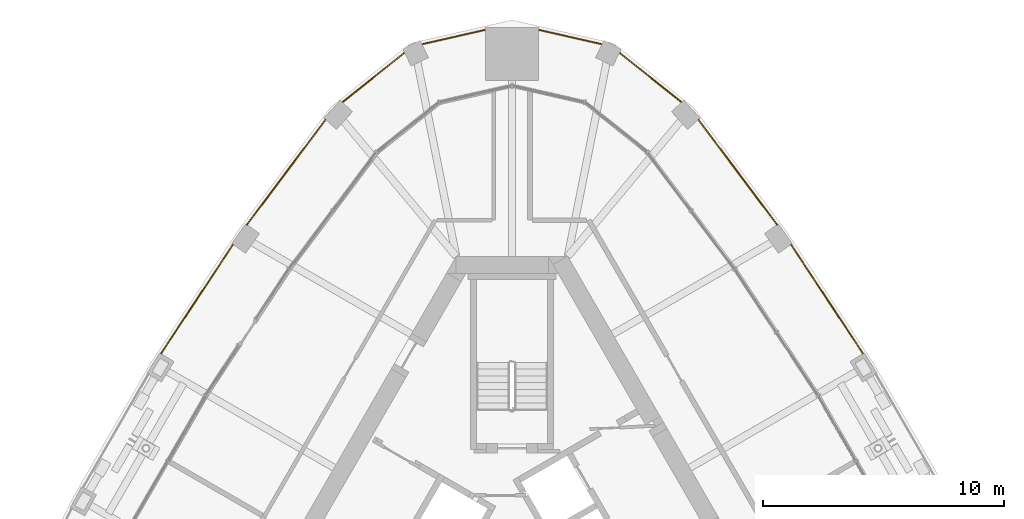
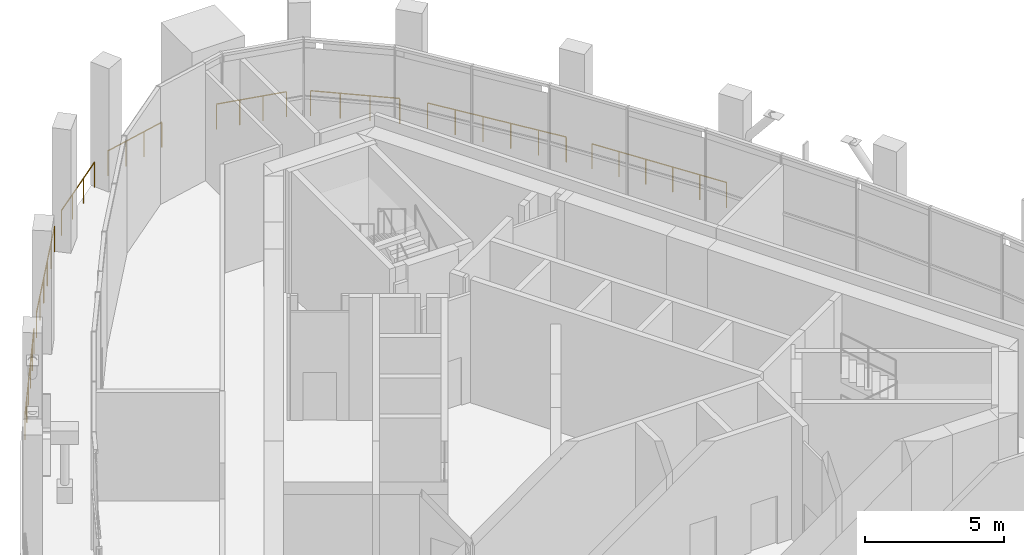
# One storey, part 22 of 23: 8 railings.
"""IFC4 building model written with IfcOpenShell, lengths in metres."""

from ifc_helpers import new_model, si_unit, direction, frame, origin, origin_2d, place, context, subcontext, project, spatial, circle, extrude, material, type_object, element, save


model = new_model("IFC4")

# Units and contexts
model_context = context("Model", 3, precision=1e-05, world=origin(), true_north=direction((0.0, 1.0)))
body_context = subcontext(model_context, "Body", "Model", "MODEL_VIEW")
ifc_project = project(units=[si_unit("LENGTHUNIT", "METRE"), si_unit("AREAUNIT", "SQUARE_METRE"), si_unit("VOLUMEUNIT", "CUBIC_METRE"), si_unit("PLANEANGLEUNIT", "RADIAN"), si_unit("MASSUNIT", "GRAM", prefix="KILO")], contexts=[model_context])

# Site, building, storey
site_placement = place(None, origin())
site = spatial("IfcSite", under=ifc_project, at=site_placement, CompositionType="ELEMENT")
building_placement = place(site_placement, origin())
building = spatial("IfcBuilding", under=site, at=building_placement, Name="Mestral Congress Tower", CompositionType="ELEMENT")
storey_placement = place(building_placement, frame((0.0, 0.0, 261.60009765625)))
storey = spatial("IfcBuildingStorey", under=building, at=storey_placement, Name="L61", CompositionType="ELEMENT", Elevation=261.60009765625)

# Railings
ifc_material = material(Name="Stainless steel", Category="steel")
railing_type = type_object("IfcRailingType", Name="Facade guard 1120 steel and glass", PredefinedType="GUARDRAIL", material=ifc_material)
railing_1_placement = place(storey_placement, frame((14.532958984375, 12.67822265625, 0.0)))
element("IfcRailing", 1, at=railing_1_placement, inside=storey, type_object=railing_type, Name="Ring deck guard F1-03", PredefinedType="GUARDRAIL", context=body_context, shape_type="SweptSolid", body=[
    extrude(circle(Radius=0.02392578125, at=origin_2d()), frame((0.0, 0.0, 1.09619140625), z_axis=(-0.550733351289, 0.834681242019, 0.0), x_axis=(-0.834681242019, -0.550733351289, 0.0)), (0.0, 0.0, 1.0), 5.405517578125),
    extrude(circle(Radius=0.02099609375, at=origin_2d()), origin(), (0.0, 0.0, 1.0), 1.072021484375),
    extrude(circle(Radius=0.02099609375, at=origin_2d()), frame((-0.595458984375, 0.90234375, 0.0)), (0.0, 0.0, 1.0), 1.072021484375),
    extrude(circle(Radius=0.02099609375, at=origin_2d()), frame((-1.19091796875, 1.8046875, 0.0)), (0.0, 0.0, 1.0), 1.072021484375),
    extrude(circle(Radius=0.02099609375, at=origin_2d()), frame((-1.7861328125, 2.707275390625, 0.0)), (0.0, 0.0, 1.0), 1.072021484375),
    extrude(circle(Radius=0.02099609375, at=origin_2d()), frame((-2.381591796875, 3.609619140625, 0.0)), (0.0, 0.0, 1.0), 1.072021484375),
    extrude(circle(Radius=0.02099609375, at=origin_2d()), frame((-2.97705078125, 4.511962890625, 0.0)), (0.0, 0.0, 1.0), 1.072021484375),
])
railing_2_placement = place(storey_placement, frame((10.974365234375, 18.016845703125, 0.0)))
element("IfcRailing", 2, at=railing_2_placement, inside=storey, type_object=railing_type, Name="Ring deck guard F1-04", PredefinedType="GUARDRAIL", context=body_context, shape_type="SweptSolid", body=[
    extrude(circle(Radius=0.02392578125, at=origin_2d()), frame((0.0, 0.0, 1.09619140625), z_axis=(-0.599538231308, 0.800346118377, 0.0), x_axis=(-0.800346118377, -0.599538231308, 0.0)), (0.0, 0.0, 1.0), 5.4150390625),
    extrude(circle(Radius=0.02099609375, at=origin_2d()), origin(), (0.0, 0.0, 1.0), 1.072021484375),
    extrude(circle(Radius=0.02099609375, at=origin_2d()), frame((-0.6494140625, 0.86669921875, 0.0)), (0.0, 0.0, 1.0), 1.072021484375),
    extrude(circle(Radius=0.02099609375, at=origin_2d()), frame((-1.298583984375, 1.733642578125, 0.0)), (0.0, 0.0, 1.0), 1.072021484375),
    extrude(circle(Radius=0.02099609375, at=origin_2d()), frame((-1.947998046875, 2.600341796875, 0.0)), (0.0, 0.0, 1.0), 1.072021484375),
    extrude(circle(Radius=0.02099609375, at=origin_2d()), frame((-2.59716796875, 3.46728515625, 0.0)), (0.0, 0.0, 1.0), 1.072021484375),
    extrude(circle(Radius=0.02099609375, at=origin_2d()), frame((-3.24658203125, 4.333984375, 0.0)), (0.0, 0.0, 1.0), 1.072021484375),
])
railing_3_placement = place(storey_placement, frame((7.00537109375, 23.096435546875, 0.0)))
element("IfcRailing", 3, at=railing_3_placement, inside=storey, type_object=railing_type, Name="Ring deck guard K1-0", PredefinedType="GUARDRAIL", context=body_context, shape_type="SweptSolid", body=[
    extrude(circle(Radius=0.02392578125, at=origin_2d()), frame((0.0, 0.0, 1.09619140625), z_axis=(-0.781626234064, 0.623747088349, 0.0), x_axis=(-0.623747088349, -0.781626234064, 0.0)), (0.0, 0.0, 1.0), 3.236572265625),
    extrude(circle(Radius=0.02099609375, at=origin_2d()), origin(), (0.0, 0.0, 1.0), 1.072021484375),
    extrude(circle(Radius=0.02099609375, at=origin_2d()), frame((-0.84326171875, 0.6728515625, 0.0)), (0.0, 0.0, 1.0), 1.072021484375),
    extrude(circle(Radius=0.02099609375, at=origin_2d()), frame((-1.6865234375, 1.345947265625, 0.0)), (0.0, 0.0, 1.0), 1.072021484375),
    extrude(circle(Radius=0.02099609375, at=origin_2d()), frame((-2.52978515625, 2.018798828125, 0.0)), (0.0, 0.0, 1.0), 1.072021484375),
])
railing_4_placement = place(storey_placement, frame((3.692626953125, 25.492431640625, 0.0)))
element("IfcRailing", 4, at=railing_4_placement, inside=storey, type_object=railing_type, Name="Ring deck guard K1-1", PredefinedType="GUARDRAIL", context=body_context, shape_type="SweptSolid", body=[
    extrude(circle(Radius=0.02392578125, at=origin_2d()), frame((0.0, 0.0, 1.09619140625), z_axis=(-0.974893102282, 0.222673391141, 0.0), x_axis=(-0.222673391141, -0.974893102282, 0.0)), (0.0, 0.0, 1.0), 2.626953125),
    extrude(circle(Radius=0.02099609375, at=origin_2d()), origin(), (0.0, 0.0, 1.0), 1.072021484375),
    extrude(circle(Radius=0.02099609375, at=origin_2d()), frame((-0.853759765625, 0.195068359375, 0.0)), (0.0, 0.0, 1.0), 1.072021484375),
    extrude(circle(Radius=0.02099609375, at=origin_2d()), frame((-1.707275390625, 0.389892578125, 0.0)), (0.0, 0.0, 1.0), 1.072021484375),
    extrude(circle(Radius=0.02099609375, at=origin_2d()), frame((-2.56103515625, 0.5849609375, 0.0)), (0.0, 0.0, 1.0), 1.072021484375),
])
railing_5_placement = place(storey_placement, frame((-1.131591796875, 26.077392578125, 0.0)))
element("IfcRailing", 5, at=railing_5_placement, inside=storey, type_object=railing_type, Name="Ring deck guard K1-2", PredefinedType="GUARDRAIL", context=body_context, shape_type="SweptSolid", body=[
    extrude(circle(Radius=0.02392578125, at=origin_2d()), frame((0.0, 0.0, 1.09619140625), z_axis=(-0.974893102282, -0.222673391141, 0.0), x_axis=(0.222673391141, -0.974893102282, 0.0)), (0.0, 0.0, 1.0), 2.626953125),
    extrude(circle(Radius=0.02099609375, at=origin_2d()), origin(), (0.0, 0.0, 1.0), 1.072021484375),
    extrude(circle(Radius=0.02099609375, at=origin_2d()), frame((-0.853759765625, -0.195068359375, 0.0)), (0.0, 0.0, 1.0), 1.072021484375),
    extrude(circle(Radius=0.02099609375, at=origin_2d()), frame((-1.707275390625, -0.389892578125, 0.0)), (0.0, 0.0, 1.0), 1.072021484375),
    extrude(circle(Radius=0.02099609375, at=origin_2d()), frame((-2.56103515625, -0.5849609375, 0.0)), (0.0, 0.0, 1.0), 1.072021484375),
])
railing_6_placement = place(storey_placement, frame((-4.4755859375, 25.115234375, 0.0)))
element("IfcRailing", 6, at=railing_6_placement, inside=storey, type_object=railing_type, Name="Ring deck guard K1-3", PredefinedType="GUARDRAIL", context=body_context, shape_type="SweptSolid", body=[
    extrude(circle(Radius=0.02392578125, at=origin_2d()), frame((0.0, 0.0, 1.09619140625), z_axis=(-0.781626234064, -0.623747088349, 0.0), x_axis=(0.623747088349, -0.781626234064, 0.0)), (0.0, 0.0, 1.0), 3.236572265625),
    extrude(circle(Radius=0.02099609375, at=origin_2d()), origin(), (0.0, 0.0, 1.0), 1.072021484375),
    extrude(circle(Radius=0.02099609375, at=origin_2d()), frame((-0.84326171875, -0.6728515625, 0.0)), (0.0, 0.0, 1.0), 1.072021484375),
    extrude(circle(Radius=0.02099609375, at=origin_2d()), frame((-1.6865234375, -1.345947265625, 0.0)), (0.0, 0.0, 1.0), 1.072021484375),
    extrude(circle(Radius=0.02099609375, at=origin_2d()), frame((-2.52978515625, -2.018798828125, 0.0)), (0.0, 0.0, 1.0), 1.072021484375),
])
railing_7_placement = place(storey_placement, frame((-7.727783203125, 22.350830078125, 0.0)))
element("IfcRailing", 7, at=railing_7_placement, inside=storey, type_object=railing_type, Name="Ring deck guard F2-00", PredefinedType="GUARDRAIL", context=body_context, shape_type="SweptSolid", body=[
    extrude(circle(Radius=0.02392578125, at=origin_2d()), frame((0.0, 0.0, 1.09619140625), z_axis=(-0.599538231308, -0.800346118377, 0.0), x_axis=(0.800346118377, -0.599538231308, 0.0)), (0.0, 0.0, 1.0), 5.4150390625),
    extrude(circle(Radius=0.02099609375, at=origin_2d()), origin(), (0.0, 0.0, 1.0), 1.072021484375),
    extrude(circle(Radius=0.02099609375, at=origin_2d()), frame((-0.6494140625, -0.86669921875, 0.0)), (0.0, 0.0, 1.0), 1.072021484375),
    extrude(circle(Radius=0.02099609375, at=origin_2d()), frame((-1.298583984375, -1.733642578125, 0.0)), (0.0, 0.0, 1.0), 1.072021484375),
    extrude(circle(Radius=0.02099609375, at=origin_2d()), frame((-1.947998046875, -2.600341796875, 0.0)), (0.0, 0.0, 1.0), 1.072021484375),
    extrude(circle(Radius=0.02099609375, at=origin_2d()), frame((-2.59716796875, -3.46728515625, 0.0)), (0.0, 0.0, 1.0), 1.072021484375),
    extrude(circle(Radius=0.02099609375, at=origin_2d()), frame((-3.24658203125, -4.333984375, 0.0)), (0.0, 0.0, 1.0), 1.072021484375),
])
railing_8_placement = place(storey_placement, frame((-11.555908203125, 17.190185546875, 0.0)))
element("IfcRailing", 8, at=railing_8_placement, inside=storey, type_object=railing_type, Name="Ring deck guard F2-01", PredefinedType="GUARDRAIL", context=body_context, shape_type="SweptSolid", body=[
    extrude(circle(Radius=0.02392578125, at=origin_2d()), frame((0.0, 0.0, 1.09619140625), z_axis=(-0.550733351289, -0.834681242019, 0.0), x_axis=(0.834681242019, -0.550733351289, 0.0)), (0.0, 0.0, 1.0), 5.405517578125),
    extrude(circle(Radius=0.02099609375, at=origin_2d()), origin(), (0.0, 0.0, 1.0), 1.072021484375),
    extrude(circle(Radius=0.02099609375, at=origin_2d()), frame((-0.595458984375, -0.90234375, 0.0)), (0.0, 0.0, 1.0), 1.072021484375),
    extrude(circle(Radius=0.02099609375, at=origin_2d()), frame((-1.19091796875, -1.8046875, 0.0)), (0.0, 0.0, 1.0), 1.072021484375),
    extrude(circle(Radius=0.02099609375, at=origin_2d()), frame((-1.7861328125, -2.707275390625, 0.0)), (0.0, 0.0, 1.0), 1.072021484375),
    extrude(circle(Radius=0.02099609375, at=origin_2d()), frame((-2.381591796875, -3.609619140625, 0.0)), (0.0, 0.0, 1.0), 1.072021484375),
    extrude(circle(Radius=0.02099609375, at=origin_2d()), frame((-2.97705078125, -4.511962890625, 0.0)), (0.0, 0.0, 1.0), 1.072021484375),
])

save(model, "model.ifc")
